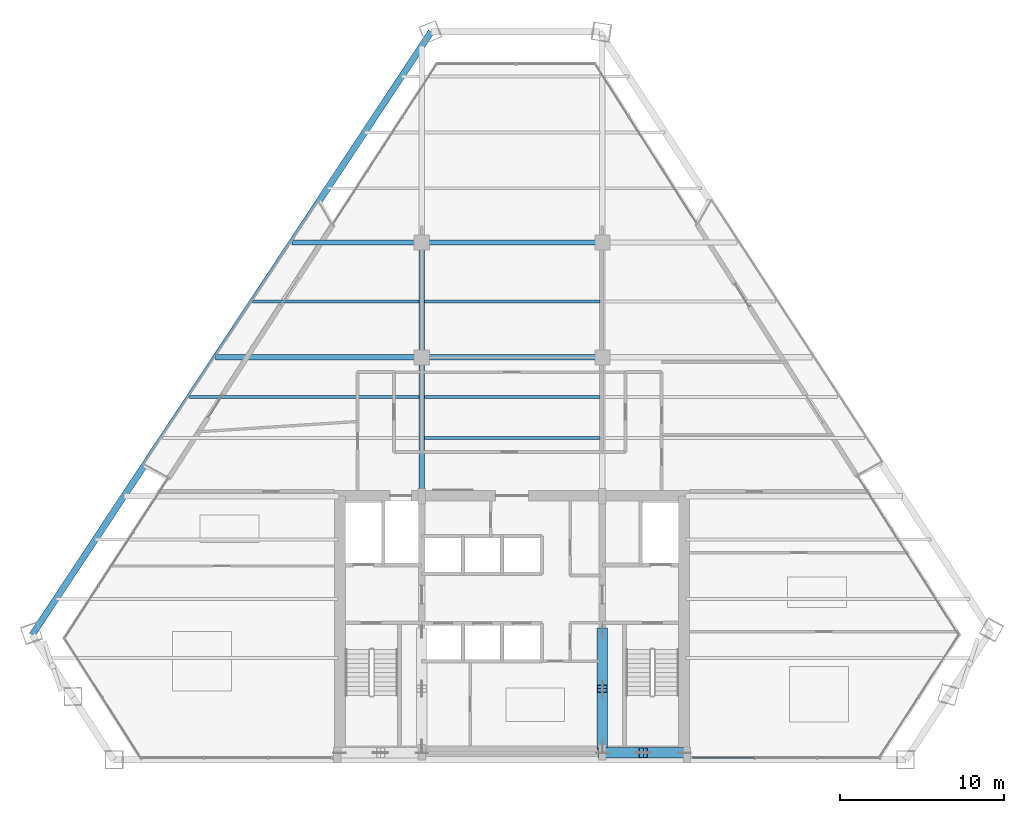
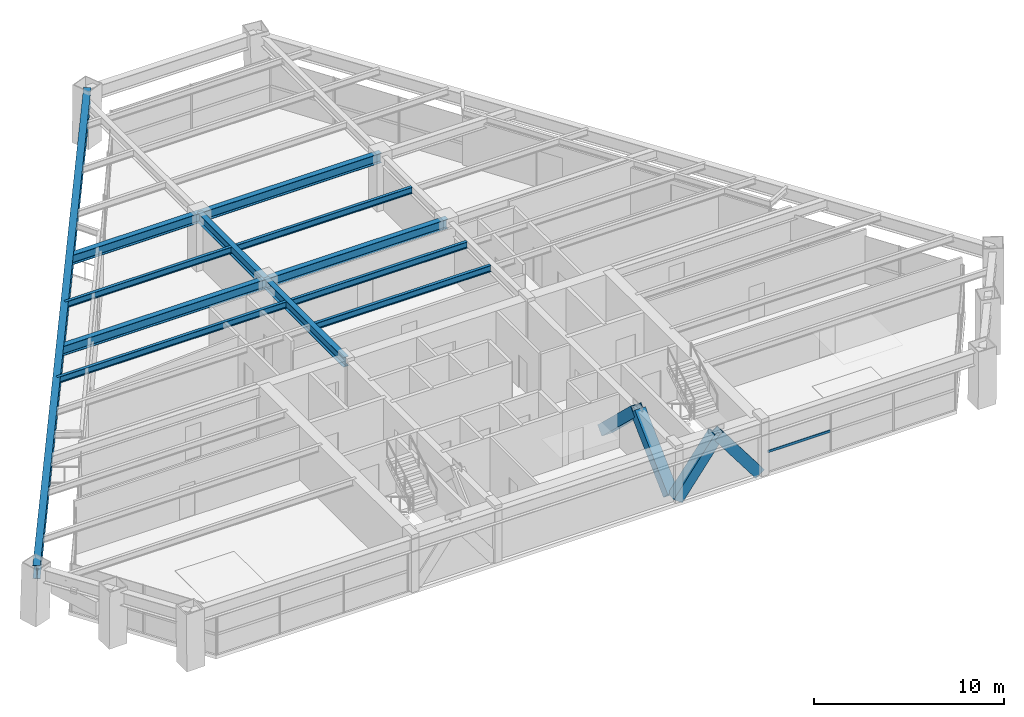
# One storey, part 5 of 15: 12 beams, 5 members, 1 element without a shape of its own.
"""IFC4 building model written with IfcOpenShell, lengths in metres."""

from ifc_helpers import new_model, si_unit, direction, frame, origin, origin_2d, place, context, subcontext, project, spatial, rectangle, hollow_rectangle, i_section, extrude, source, transform, mapped, material, material_profile, profile_set, type_object, type_shapes, element, aggregate, save


model = new_model("IFC4")

# Units and contexts
model_context = context("Model", 3, precision=1e-05, world=origin(), true_north=direction((0.0, 1.0)))
body_context = subcontext(model_context, "Body", "Model", "MODEL_VIEW")
ifc_project = project(units=[si_unit("LENGTHUNIT", "METRE"), si_unit("AREAUNIT", "SQUARE_METRE"), si_unit("VOLUMEUNIT", "CUBIC_METRE"), si_unit("PLANEANGLEUNIT", "RADIAN"), si_unit("MASSUNIT", "GRAM", prefix="KILO")], contexts=[model_context])

# Site, building, storey
site_placement = place(None, origin())
site = spatial("IfcSite", under=ifc_project, at=site_placement, CompositionType="ELEMENT")
building_placement = place(site_placement, origin())
building = spatial("IfcBuilding", under=site, at=building_placement, Name="Varnakhor Terracotta Tower", CompositionType="ELEMENT")
storey_placement = place(building_placement, frame((0.0, 0.0, 144.10009765625)))
storey = spatial("IfcBuildingStorey", under=building, at=storey_placement, Name="L36", CompositionType="ELEMENT", Elevation=144.10009765625)

# Beams
ifc_material_1 = material(Name="Steel S355", Category="steel")
ifc_material_profile_1 = material_profile(ifc_material_1, i_section(OverallWidth=0.324951171875, OverallDepth=0.615966796875, WebThickness=0.013916015625, FlangeThickness=0.02197265625, FilletRadius=0.01806640625, at=origin_2d()), Name="W24X117")
ifc_profile_set_1 = profile_set([ifc_material_profile_1], Name="Steel S355")
beam_type_1 = type_object("IfcBeamType", Name="BM-W24X117", PredefinedType="BEAM", material=ifc_profile_set_1)
shared_shape_1 = source(origin(), body_context, "Body", "SweptSolid", [
    extrude(i_section(OverallWidth=0.324951171875, OverallDepth=0.615966796875, WebThickness=0.013916015625, FlangeThickness=0.02197265625, FilletRadius=0.01806640625, at=origin_2d()), origin(), (0.0, 0.0, 1.0), 8.449951171875),
])
type_shapes(beam_type_1, [shared_shape_1])
beam_1_placement = place(storey_placement, frame((-5.5, 16.050048828125, 3.161865234375), z_axis=(0.0, 1.0, 0.0), x_axis=(-1.0, 0.0, 0.0)))
element("IfcBeam", 1, at=beam_1_placement, inside=storey, type_object=beam_type_1, Name="L36 Primary Girder NS1-W", PredefinedType="BEAM", context=body_context, shape_type="MappedRepresentation", body=[
    mapped(shared_shape_1, transform((0.0, 0.0, 0.0), scale=1.0)),
])
shared_shape_2 = source(origin(), body_context, "Body", "SweptSolid", [
    extrude(i_section(OverallWidth=0.324951171875, OverallDepth=0.615966796875, WebThickness=0.013916015625, FlangeThickness=0.02197265625, FilletRadius=0.01806640625, at=origin_2d()), origin(), (0.0, 0.0, 1.0), 7.0),
])
beam_2_placement = place(storey_placement, frame((-5.5, 24.5, 3.161865234375), z_axis=(0.0, 1.0, 0.0), x_axis=(-1.0, 0.0, 0.0)))
element("IfcBeam", 2, at=beam_2_placement, inside=storey, type_object=beam_type_1, Name="L36 Primary Girder NS2-W", PredefinedType="BEAM", context=body_context, shape_type="MappedRepresentation", body=[
    mapped(shared_shape_2, transform((0.0, 0.0, 0.0), scale=1.0)),
])
shared_shape_3 = source(origin(), body_context, "Body", "SweptSolid", [
    extrude(i_section(OverallWidth=0.324951171875, OverallDepth=0.615966796875, WebThickness=0.013916015625, FlangeThickness=0.02197265625, FilletRadius=0.01806640625, at=origin_2d()), origin(), (0.0, 0.0, 1.0), 11.0),
])
for number, where, z_axis, x_axis, name in (
    (3, (-5.5, 24.5, 3.161865234375), (1.0, 0.0, 0.0), (0.0, 1.0, 0.0), "L36 Primary Girder EW2-2"),
    (4, (-5.5, 31.5, 3.161865234375), (1.0, 0.0, 0.0), (0.0, 1.0, 0.0), "L36 Primary Girder EW3-2"),
):
    element("IfcBeam", number, at=place(storey_placement, frame(where, z_axis=z_axis, x_axis=x_axis)), inside=storey, type_object=beam_type_1, Name=name, PredefinedType="BEAM", context=body_context, shape_type="MappedRepresentation", body=[
        mapped(shared_shape_3, transform((0.0, 0.0, 0.0), scale=1.0)),
    ])
ifc_material_profile_2 = material_profile(ifc_material_1, i_section(OverallWidth=0.179931640625, OverallDepth=0.4130859375, WebThickness=0.009765625, FlangeThickness=0.01611328125, FilletRadius=0.01806640625, at=origin_2d()), Name="W16X50")
ifc_profile_set_2 = profile_set([ifc_material_profile_2], Name="Steel S355")
beam_type_2 = type_object("IfcBeamType", Name="JST-W16X50", PredefinedType="JOIST", material=ifc_profile_set_2)
shared_shape_4 = source(origin(), body_context, "Body", "SweptSolid", [
    extrude(i_section(OverallWidth=0.179931640625, OverallDepth=0.4130859375, WebThickness=0.009765625, FlangeThickness=0.01611328125, FilletRadius=0.01806640625, at=origin_2d()), origin(), (0.0, 0.0, 1.0), 10.68310546875),
])
for number, where, z_axis, x_axis, name in (
    (5, (-5.341552734375, 19.60009765625, 3.263427734375), (1.0, 0.0, 0.0), (0.0, 1.0, 0.0), "L36 Composite Floor Joist 4-2"),
    (6, (-5.341552734375, 22.10009765625, 3.263427734375), (1.0, 0.0, 0.0), (0.0, 1.0, 0.0), "L36 Composite Floor Joist 5-2"),
    (7, (-5.341552734375, 27.89990234375, 3.263427734375), (1.0, 0.0, 0.0), (0.0, 1.0, 0.0), "L36 Composite Floor Joist 6-2"),
):
    element("IfcBeam", number, at=place(storey_placement, frame(where, z_axis=z_axis, x_axis=x_axis)), inside=storey, type_object=beam_type_2, Name=name, PredefinedType="JOIST", context=body_context, shape_type="MappedRepresentation", body=[
        mapped(shared_shape_4, transform((0.0, 0.0, 0.0), scale=1.0)),
    ])

# Members
ifc_material_2 = material(Name="Steel S460", Category="steel")
ifc_material_profile_3 = material_profile(ifc_material_2, hollow_rectangle(XDim=0.64990234375, YDim=0.64990234375, WallThickness=0.0400390625, at=origin_2d()), Name="HSS650X650X40")
ifc_profile_set_3 = profile_set([ifc_material_profile_3], Name="Steel S460")
member_type_1 = type_object("IfcMemberType", Name="MBR-MEGA-650", PredefinedType="BRACE", material=ifc_profile_set_3)
shared_shape_5 = source(origin(), body_context, "Body", "SweptSolid", [
    extrude(hollow_rectangle(XDim=0.64990234375, YDim=0.64990234375, WallThickness=0.0400390625, at=origin_2d()), origin(), (0.0, 0.0, 1.0), 4.15576171875),
])
for number, where, z_axis, x_axis, name in (
    (8, (5.5, 0.419921875, 0.0), (0.601559152872, 0.0, 0.798828257886), (0.0, 1.0, 0.0), "L36 Core Coupled Brace CSEA"),
    (9, (10.5, 0.419921875, 0.0), (-0.601559152872, 0.0, 0.798828257886), (0.0, -1.0, 0.0), "L36 Core Coupled Brace CSEB"),
):
    element("IfcMember", number, at=place(storey_placement, frame(where, z_axis=z_axis, x_axis=x_axis)), inside=storey, type_object=member_type_1, Name=name, PredefinedType="BRACE", context=body_context, shape_type="MappedRepresentation", body=[
        mapped(shared_shape_5, transform((0.0, 0.0, 0.0), scale=1.0)),
    ])
shared_shape_6 = source(origin(), body_context, "Body", "SweptSolid", [
    extrude(hollow_rectangle(XDim=0.64990234375, YDim=0.64990234375, WallThickness=0.0400390625, at=origin_2d()), origin(), (0.0, 0.0, 1.0), 4.805908203125),
])
for number, where, z_axis, x_axis, name in (
    (10, (5.5, 0.85009765625, 0.0), (0.0, 0.72305215055, 0.690793447845), (-1.0, 0.0, 0.0), "L36 Core Coupled Brace CWEA"),
    (11, (5.5, 7.800048828125, 0.0), (0.0, -0.723076391278, 0.690768074231), (1.0, 0.0, 0.0), "L36 Core Coupled Brace CWEB"),
):
    element("IfcMember", number, at=place(storey_placement, frame(where, z_axis=z_axis, x_axis=x_axis)), inside=storey, type_object=member_type_1, Name=name, PredefinedType="BRACE", context=body_context, shape_type="MappedRepresentation", body=[
        mapped(shared_shape_6, transform((0.0, 0.0, 0.0), scale=1.0)),
    ])

# Beams
ifc_material_profile_4 = material_profile(ifc_material_1, i_section(OverallWidth=0.39990234375, OverallDepth=0.85498046875, WebThickness=0.01806640625, FlangeThickness=0.029052734375, FilletRadius=0.01806640625, at=origin_2d()), Name="W33X201")
ifc_profile_set_4 = profile_set([ifc_material_profile_4], Name="Steel S355")
beam_type_3 = type_object("IfcBeamType", Name="BM-W33X201", PredefinedType="BEAM", material=ifc_profile_set_4)
shared_shape_7 = source(origin(), body_context, "Body", "SweptSolid", [
    extrude(i_section(OverallWidth=0.39990234375, OverallDepth=0.85498046875, WebThickness=0.01806640625, FlangeThickness=0.029052734375, FilletRadius=0.01806640625, at=origin_2d()), origin(), (0.0, 0.0, 1.0), 44.036376953125),
])
beam_3_placement = place(storey_placement, frame((-4.924072265625, 44.330810546875, 3.04248046875), z_axis=(-0.551746407958, -0.834011931153, 0.0), x_axis=(0.834011931153, -0.551746407958, 0.0)))
element("IfcBeam", 12, at=beam_3_placement, inside=storey, type_object=beam_type_3, Name="L36 Perimeter Spandrel 6", PredefinedType="BEAM", context=body_context, shape_type="MappedRepresentation", body=[
    mapped(shared_shape_7, transform((0.0, 0.0, 0.0), scale=1.0)),
])
shared_shape_8 = source(origin(), body_context, "Body", "SweptSolid", [
    extrude(i_section(OverallWidth=0.324951171875, OverallDepth=0.615966796875, WebThickness=0.013916015625, FlangeThickness=0.02197265625, FilletRadius=0.01806640625, at=origin_2d()), origin(), (0.0, 0.0, 1.0), 12.543212890625),
])
beam_4_placement = place(storey_placement, frame((-18.043212890625, 24.5, 3.161865234375), z_axis=(1.0, 0.0, 0.0), x_axis=(0.0, 1.0, 0.0)))
element("IfcBeam", 13, at=beam_4_placement, inside=storey, type_object=beam_type_1, Name="L36 Primary Girder EW2-1", PredefinedType="BEAM", context=body_context, shape_type="MappedRepresentation", body=[
    mapped(shared_shape_8, transform((0.0, 0.0, 0.0), scale=1.0)),
])
shared_shape_9 = source(origin(), body_context, "Body", "SweptSolid", [
    extrude(i_section(OverallWidth=0.324951171875, OverallDepth=0.615966796875, WebThickness=0.013916015625, FlangeThickness=0.02197265625, FilletRadius=0.01806640625, at=origin_2d()), origin(), (0.0, 0.0, 1.0), 7.912353515625),
])
beam_5_placement = place(storey_placement, frame((-13.412353515625, 31.5, 3.161865234375), z_axis=(1.0, 0.0, 0.0), x_axis=(0.0, 1.0, 0.0)))
element("IfcBeam", 14, at=beam_5_placement, inside=storey, type_object=beam_type_1, Name="L36 Primary Girder EW3-1", PredefinedType="BEAM", context=body_context, shape_type="MappedRepresentation", body=[
    mapped(shared_shape_9, transform((0.0, 0.0, 0.0), scale=1.0)),
])
shared_shape_10 = source(origin(), body_context, "Body", "SweptSolid", [
    extrude(i_section(OverallWidth=0.179931640625, OverallDepth=0.4130859375, WebThickness=0.009765625, FlangeThickness=0.01611328125, FilletRadius=0.01806640625, at=origin_2d()), origin(), (0.0, 0.0, 1.0), 13.97265625),
])
beam_6_placement = place(storey_placement, frame((-19.631103515625, 22.10009765625, 3.263427734375), z_axis=(1.0, 0.0, 0.0), x_axis=(0.0, 1.0, 0.0)))
element("IfcBeam", 15, at=beam_6_placement, inside=storey, type_object=beam_type_2, Name="L36 Composite Floor Joist 5-1", PredefinedType="JOIST", context=body_context, shape_type="MappedRepresentation", body=[
    mapped(shared_shape_10, transform((0.0, 0.0, 0.0), scale=1.0)),
])
shared_shape_11 = source(origin(), body_context, "Body", "SweptSolid", [
    extrude(i_section(OverallWidth=0.179931640625, OverallDepth=0.4130859375, WebThickness=0.009765625, FlangeThickness=0.01611328125, FilletRadius=0.01806640625, at=origin_2d()), origin(), (0.0, 0.0, 1.0), 10.135498046875),
])
beam_7_placement = place(storey_placement, frame((-15.7939453125, 27.89990234375, 3.263427734375), z_axis=(1.0, 0.0, 0.0), x_axis=(0.0, 1.0, 0.0)))
element("IfcBeam", 16, at=beam_7_placement, inside=storey, type_object=beam_type_2, Name="L36 Composite Floor Joist 6-1", PredefinedType="JOIST", context=body_context, shape_type="MappedRepresentation", body=[
    mapped(shared_shape_11, transform((0.0, 0.0, 0.0), scale=1.0)),
])

# Curtain wall, member
ifc_material_3 = material(Name="Anodised Aluminium Curtain Wall System", Category="aluminium")
curtain_wall_type = type_object("IfcCurtainWallType", Name="CW-SYS-MID-OFFICE", PredefinedType="NOTDEFINED", material=ifc_material_3)
curtain_wall_placement = place(storey_placement, origin())
curtain_wall = element("IfcCurtainWall", 17, at=curtain_wall_placement, inside=storey, type_object=curtain_wall_type, Name="L36 South Wing Curtain Wall SSE", PredefinedType="NOTDEFINED")
ifc_material_4 = material(Name="Anodised Aluminium 6063-T6", Category="aluminium")
ifc_material_profile_5 = material_profile(ifc_material_4, rectangle(XDim=0.070068359375, YDim=0.155029296875, at=origin_2d()), Name="ALU TRANSOM 70x155")
ifc_profile_set_5 = profile_set([ifc_material_profile_5], Name="Anodised Aluminium 6063-T6")
member_type_2 = type_object("IfcMemberType", Name="CWT-03", PredefinedType="USERDEFINED", material=ifc_profile_set_5)
shared_shape_12 = source(origin(), body_context, "Body", "SweptSolid", [
    extrude(rectangle(XDim=0.070068359375, YDim=0.155029296875, at=origin_2d()), origin(), (0.0, 0.0, 1.0), 3.81103515625),
])
member_placement = place(storey_placement, frame((14.781005859375, 0.1201171875, 1.281005859375), z_axis=(-1.0, 0.0, 0.0), x_axis=(0.0, -1.0, 0.0)))
member = element("IfcMember", 18, at=member_placement, type_object=member_type_2, Name="L36 South Wing Curtain Wall SSE Transom 3", ObjectType="TRANSOM", PredefinedType="USERDEFINED", context=body_context, shape_type="MappedRepresentation", body=[
    mapped(shared_shape_12, transform((0.0, 0.0, 0.0), scale=1.0)),
])
aggregate(curtain_wall, [member])

save(model, "model.ifc")
